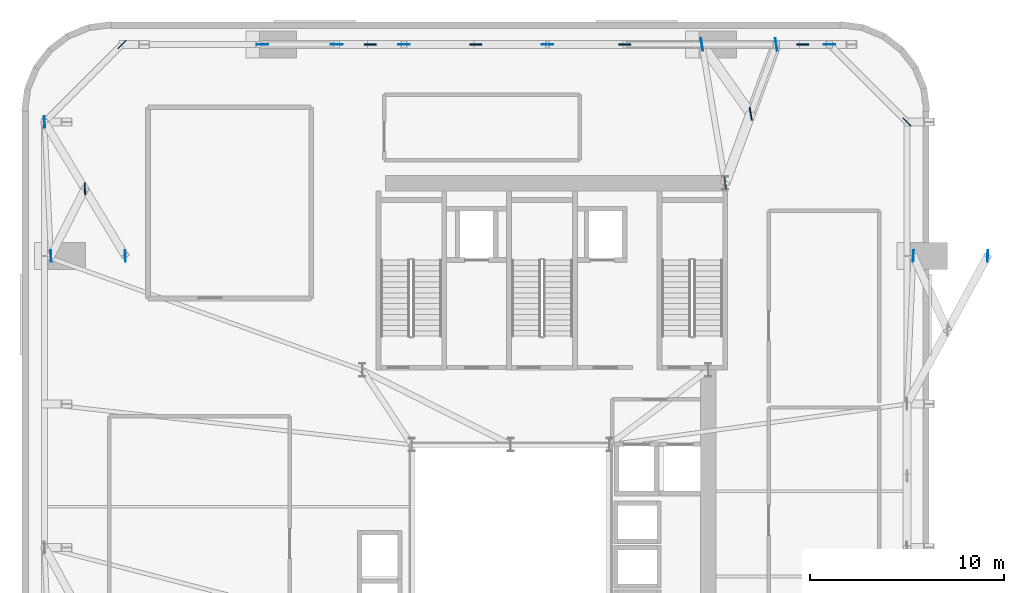
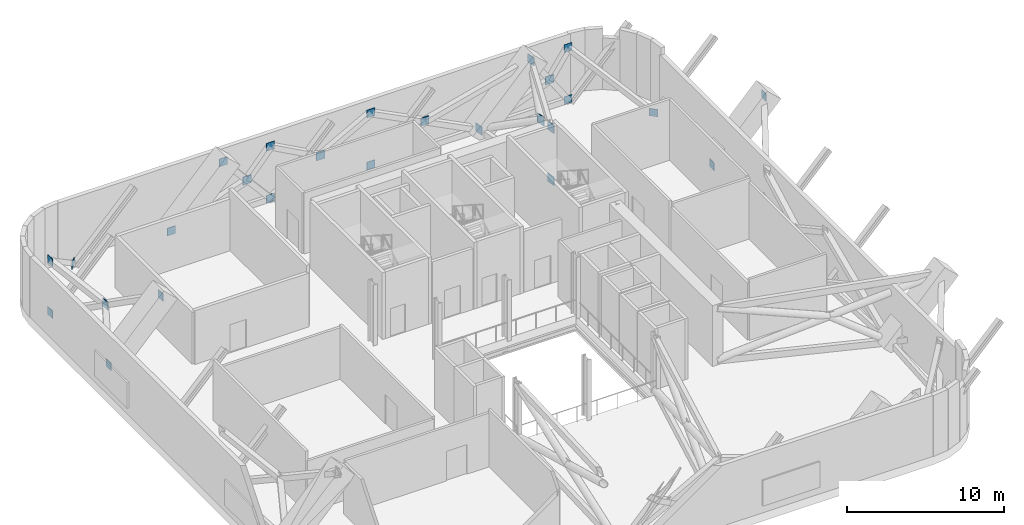
# One storey, part 8 of 14: 26 plates.
"""IFC4 building model written with IfcOpenShell, lengths in metres."""

from ifc_helpers import new_model, si_unit, direction, frame, origin, origin_2d, place, context, subcontext, project, spatial, rectangle, extrude, source, transform, mapped, material, layer, layer_set, type_object, element, save


model = new_model("IFC4")

# Units and contexts
model_context = context("Model", 3, precision=1e-05, world=origin(), true_north=direction((0.0, 1.0)))
body_context = subcontext(model_context, "Body", "Model", "MODEL_VIEW")
ifc_project = project(units=[si_unit("LENGTHUNIT", "METRE"), si_unit("AREAUNIT", "SQUARE_METRE"), si_unit("VOLUMEUNIT", "CUBIC_METRE"), si_unit("PLANEANGLEUNIT", "RADIAN"), si_unit("MASSUNIT", "GRAM", prefix="KILO")], contexts=[model_context])

# Site, building, storey
site_placement = place(None, origin())
site = spatial("IfcSite", under=ifc_project, at=site_placement, CompositionType="ELEMENT")
building_placement = place(site_placement, origin())
building = spatial("IfcBuilding", under=site, at=building_placement, Name="Vardaveli Station Tower", CompositionType="ELEMENT")
storey_placement = place(building_placement, frame((0.0, 0.0, 237.300048828125)))
storey = spatial("IfcBuildingStorey", under=building, at=storey_placement, Name="L61", CompositionType="ELEMENT", Elevation=237.300048828125)

# Plates
ifc_material = material(Name="Structural steel S460M", Category="steel")
ifc_layer_1 = layer(ifc_material, 0.06005859375, Name="Structural steel S460M")
ifc_layer_set_1 = layer_set([ifc_layer_1], Name="Structural steel S460M")
plate_type_1 = type_object("IfcPlateType", Name="PLT-GUSSET-60", PredefinedType="USERDEFINED", material=ifc_layer_set_1)
shared_shape_1 = source(origin(), body_context, "Body", "SweptSolid", [
    extrude(rectangle(XDim=0.679931640625, YDim=0.06005859375, at=origin_2d()), origin(), (0.0, 0.0, 1.0), 0.679931640625),
])
plate_placement = place(storey_placement, frame((48.689208984375, 43.875, 2.03515625), z_axis=(0.0, 0.0, 1.0), x_axis=(-0.165219742657, 0.986256780274, 0.0)))
element("IfcPlate", 1, at=plate_placement, inside=storey, type_object=plate_type_1, Name="PLT-L61-OA4-X", ObjectType="GUSSET PLATE", PredefinedType="USERDEFINED", context=body_context, shape_type="MappedRepresentation", body=[
    mapped(shared_shape_1, transform((0.0, 0.0, 0.0), scale=1.0)),
])
shared_shape_2 = source(origin(), body_context, "Body", "SweptSolid", [
    extrude(rectangle(XDim=0.64990234375, YDim=0.06005859375, at=origin_2d()), origin(), (0.0, 0.0, 1.0), 0.64990234375),
])
for number, where, z_axis, x_axis, name in (
    (2, (47.3701171875, 40.300048828125, 0.02490234375), (0.0, 0.0, 1.0), (-0.165219742657, 0.986256780274, 0.0), "PLT-L61-OA4-CB"),
    (3, (47.3701171875, 40.300048828125, 4.074951171875), (0.0, 0.0, 1.0), (-0.165219742657, 0.986256780274, 0.0), "PLT-L61-OA4-CT"),
):
    element("IfcPlate", number, at=place(storey_placement, frame(where, z_axis=z_axis, x_axis=x_axis)), inside=storey, type_object=plate_type_1, Name=name, ObjectType="GUSSET PLATE", PredefinedType="USERDEFINED", context=body_context, shape_type="MappedRepresentation", body=[
        mapped(shared_shape_2, transform((0.0, 0.0, 0.0), scale=1.0)),
    ])
ifc_layer_2 = layer(ifc_material, 0.0400390625, Name="Structural steel S460M")
ifc_layer_set_2 = layer_set([ifc_layer_2], Name="Structural steel S460M")
plate_type_2 = type_object("IfcPlateType", Name="PLT-CAP-40", PredefinedType="USERDEFINED", material=ifc_layer_set_2)
shared_shape_3 = source(origin(), body_context, "Body", "SweptSolid", [
    extrude(rectangle(XDim=0.64990234375, YDim=0.0400390625, at=origin_2d()), origin(), (0.0, 0.0, 1.0), 0.64990234375),
])
for number, where, z_axis, x_axis, name in (
    (4, (46.171630859375, 47.449951171875, 0.02490234375), (0.0, 0.0, 1.0), (-0.165219742657, 0.986256780274, 0.0), "PLT-L61-OA4-MB"),
    (5, (50.00830078125, 47.449951171875, 4.074951171875), (0.0, 0.0, 1.0), (-0.165219742657, 0.986256780274, 0.0), "PLT-L61-OA4-MT"),
):
    element("IfcPlate", number, at=place(storey_placement, frame(where, z_axis=z_axis, x_axis=x_axis)), inside=storey, type_object=plate_type_2, Name=name, ObjectType="GUSSET PLATE", PredefinedType="USERDEFINED", context=body_context, shape_type="MappedRepresentation", body=[
        mapped(shared_shape_3, transform((0.0, 0.0, 0.0), scale=1.0)),
    ])
shared_shape_4 = source(origin(), body_context, "Body", "SweptSolid", [
    extrude(rectangle(XDim=0.6201171875, YDim=0.06005859375, at=origin_2d()), origin(), (0.0, 0.0, 1.0), 0.6201171875),
])
for number, where, z_axis, x_axis, name in (
    (6, (51.379150390625, 47.449951171875, 2.06494140625), (0.0, 0.0, 1.0), (-1.0, 0.0, 0.0), "PLT-L61-BLTX-09"),
    (7, (42.185791015625, 47.449951171875, 2.06494140625), (0.0, 0.0, 1.0), (-1.0, 0.0, 0.0), "PLT-L61-BLTX-10"),
    (8, (34.5, 47.449951171875, 2.06494140625), (0.0, 0.0, 1.0), (-1.0, 0.0, 0.0), "PLT-L61-BLTX-11"),
    (9, (29.064208984375, 47.449951171875, 2.06494140625), (0.0, 0.0, 1.0), (-1.0, 0.0, 0.0), "PLT-L61-BLTX-12"),
    (10, (14.334228515625, 39.9951171875, 2.06494140625), (0.0, 0.0, 1.0), (0.047978128521, -0.998848386485, 0.0), "PLT-L61-BLTX-13"),
):
    element("IfcPlate", number, at=place(storey_placement, frame(where, z_axis=z_axis, x_axis=x_axis)), inside=storey, type_object=plate_type_1, Name=name, ObjectType="GUSSET PLATE", PredefinedType="USERDEFINED", context=body_context, shape_type="MappedRepresentation", body=[
        mapped(shared_shape_4, transform((0.0, 0.0, 0.0), scale=1.0)),
    ])
shared_shape_5 = source(origin(), body_context, "Body", "SweptSolid", [
    extrude(rectangle(XDim=0.60009765625, YDim=0.0400390625, at=origin_2d()), origin(), (0.0, 0.0, 1.0), 0.60009765625),
])
for number, where, z_axis, x_axis, name in (
    (11, (57.08154296875, 36.5400390625, 0.0498046875), (0.0, 0.0, 1.0), (0.043445019893, 0.999055819385, 0.0), "PLT-L61-BLTBB-08"),
    (12, (60.91845703125, 36.5400390625, 4.099853515625), (0.0, 0.0, 1.0), (0.043445019893, 0.999055819385, 0.0), "PLT-L61-BLTBT-08"),
    (13, (52.75, 47.449951171875, 0.0498046875), (0.0, 0.0, 1.0), (-1.0, 0.0, 0.0), "PLT-L61-BLTAB-09"),
    (14, (52.75, 47.449951171875, 4.099853515625), (0.0, 0.0, 1.0), (-1.0, 0.0, 0.0), "PLT-L61-BLTAT-09"),
    (15, (38.199951171875, 47.449951171875, 0.0498046875), (0.0, 0.0, 1.0), (-1.0, 0.0, 0.0), "PLT-L61-BLTBB-10"),
    (16, (38.199951171875, 47.449951171875, 4.099853515625), (0.0, 0.0, 1.0), (-1.0, 0.0, 0.0), "PLT-L61-BLTBT-10"),
    (17, (30.800048828125, 47.449951171875, 0.0498046875), (0.0, 0.0, 1.0), (-1.0, 0.0, 0.0), "PLT-L61-BLTBB-11"),
    (18, (30.800048828125, 47.449951171875, 4.099853515625), (0.0, 0.0, 1.0), (-1.0, 0.0, 0.0), "PLT-L61-BLTBT-11"),
    (19, (23.49169921875, 47.449951171875, 0.0498046875), (0.0, 0.0, 1.0), (-1.0, 0.0, 0.0), "PLT-L61-BLTBB-12"),
    (20, (27.328369140625, 47.449951171875, 4.099853515625), (0.0, 0.0, 1.0), (-1.0, 0.0, 0.0), "PLT-L61-BLTBT-12"),
    (21, (12.25, 43.449951171875, 0.0498046875), (0.0, 0.0, 1.0), (0.047978128521, -0.998848386485, 0.0), "PLT-L61-BLTAB-13"),
    (22, (12.58154296875, 36.5400390625, 0.0498046875), (0.0, 0.0, 1.0), (0.047978128521, -0.998848386485, 0.0), "PLT-L61-BLTBB-13"),
    (23, (12.25, 43.449951171875, 4.099853515625), (0.0, 0.0, 1.0), (0.047978128521, -0.998848386485, 0.0), "PLT-L61-BLTAT-13"),
    (24, (16.41845703125, 36.5400390625, 4.099853515625), (0.0, 0.0, 1.0), (0.047978128521, -0.998848386485, 0.0), "PLT-L61-BLTBT-13"),
):
    element("IfcPlate", number, at=place(storey_placement, frame(where, z_axis=z_axis, x_axis=x_axis)), inside=storey, type_object=plate_type_2, Name=name, ObjectType="GUSSET PLATE", PredefinedType="USERDEFINED", context=body_context, shape_type="MappedRepresentation", body=[
        mapped(shared_shape_5, transform((0.0, 0.0, 0.0), scale=1.0)),
    ])
shared_shape_6 = source(origin(), body_context, "Body", "SweptSolid", [
    extrude(rectangle(XDim=0.580078125, YDim=0.0400390625, at=origin_2d()), origin(), (0.0, 0.0, 1.0), 0.580078125),
])
for number, where, z_axis, x_axis, name in (
    (25, (56.75, 43.449951171875, 0.059814453125), (0.0, 0.0, 1.0), (-0.707106781187, 0.707106781187, 0.0), "PLT-L61-STRB-3"),
    (26, (16.25, 47.449951171875, 0.059814453125), (0.0, 0.0, 1.0), (-0.707106781187, -0.707106781187, 0.0), "PLT-L61-STRB-4"),
):
    element("IfcPlate", number, at=place(storey_placement, frame(where, z_axis=z_axis, x_axis=x_axis)), inside=storey, type_object=plate_type_2, Name=name, ObjectType="GUSSET PLATE", PredefinedType="USERDEFINED", context=body_context, shape_type="MappedRepresentation", body=[
        mapped(shared_shape_6, transform((0.0, 0.0, 0.0), scale=1.0)),
    ])

save(model, "model.ifc")
